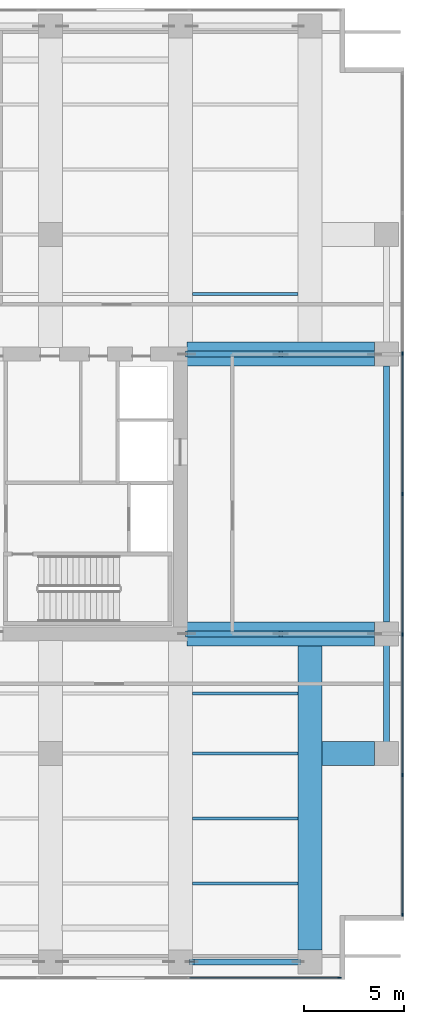
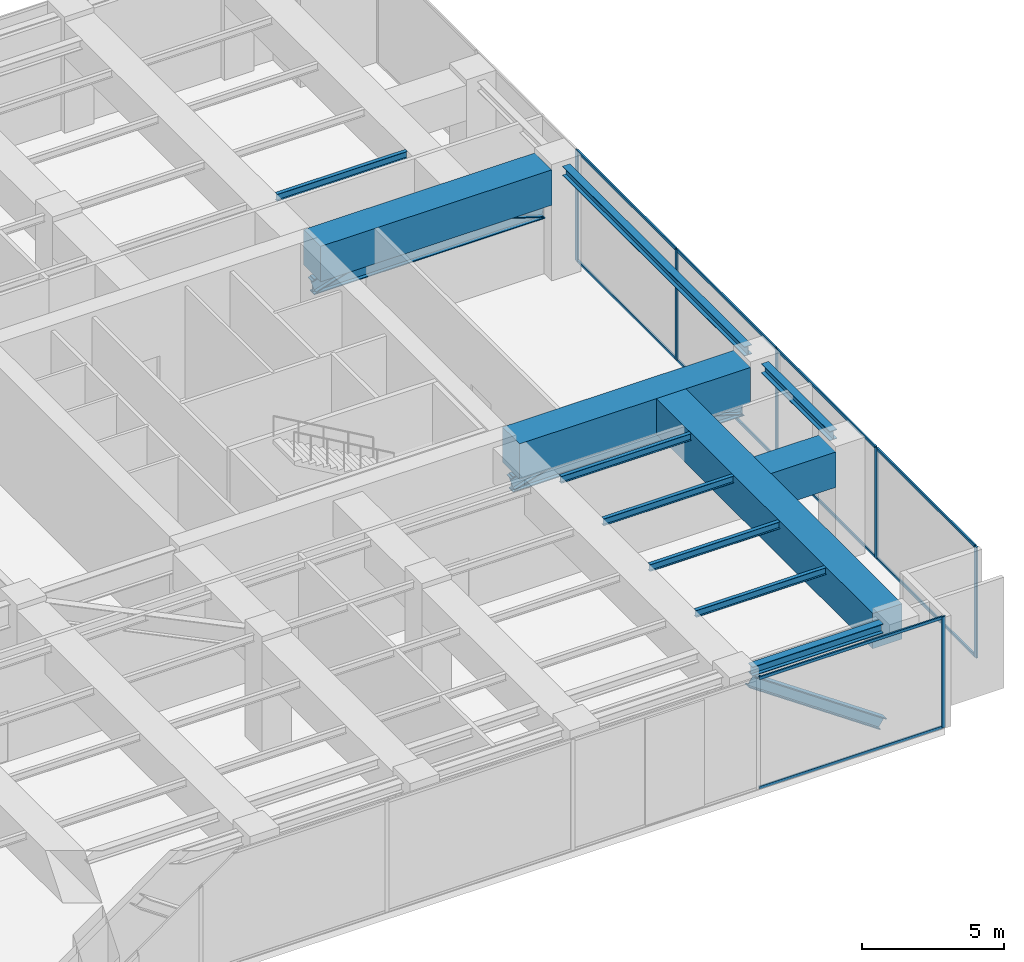
# One storey, part 11 of 28: 23 members, 12 beams, 2 elements without a shape of their own.
"""IFC4 building model written with IfcOpenShell, lengths in metres."""

from ifc_helpers import new_model, si_unit, direction, frame, origin, origin_2d, place, context, subcontext, project, spatial, rectangle, i_section, extrude, material, layer, layer_set, material_profile, profile_set, type_object, element, aggregate, save


model = new_model("IFC4")

# Units and contexts
model_context = context("Model", 3, precision=1e-05, world=origin(), true_north=direction((0.0, 1.0)))
body_context = subcontext(model_context, "Body", "Model", "MODEL_VIEW")
ifc_project = project(units=[si_unit("LENGTHUNIT", "METRE"), si_unit("AREAUNIT", "SQUARE_METRE"), si_unit("VOLUMEUNIT", "CUBIC_METRE"), si_unit("PLANEANGLEUNIT", "RADIAN"), si_unit("MASSUNIT", "GRAM", prefix="KILO")], contexts=[model_context])

# Site, building, storey
site_placement = place(None, origin())
site = spatial("IfcSite", under=ifc_project, at=site_placement, CompositionType="ELEMENT")
building_placement = place(site_placement, origin())
building = spatial("IfcBuilding", under=site, at=building_placement, Name="Putna Gate Headquarters", CompositionType="ELEMENT")
storey_placement = place(building_placement, frame((0.0, 0.0, 139.199951171875)))
storey = spatial("IfcBuildingStorey", under=building, at=storey_placement, Name="L34", CompositionType="ELEMENT", Elevation=139.199951171875)

# Beams
ifc_material_1 = material(Name="Steel S355J2", Category="steel")
ifc_material_profile_1 = material_profile(ifc_material_1, i_section(OverallWidth=0.14990234375, OverallDepth=0.300048828125, WebThickness=0.007080078125, FlangeThickness=0.0107421875, at=origin_2d()), Name="Steel S355J2")
ifc_profile_set_1 = profile_set([ifc_material_profile_1], Name="Steel S355J2")
beam_type_1 = type_object("IfcBeamType", Name="BM-SEC-Z3-IPE300", PredefinedType="JOIST", material=ifc_profile_set_1)
for number, where, z_axis, x_axis, name in (
    (1, (65.60400390625, 6.5, 4.6220703125), (1.0, 0.0, 0.0), (0.0, 1.0, 0.0), "L34 South Secondary Beam 10"),
    (2, (65.60400390625, 9.75, 4.6220703125), (1.0, 0.0, 0.0), (0.0, 1.0, 0.0), "L34 South Secondary Beam 10"),
    (3, (65.60400390625, 13.0, 4.6220703125), (1.0, 0.0, 0.0), (0.0, 1.0, 0.0), "L34 South Secondary Beam 10"),
    (4, (65.60400390625, 16.0, 4.6220703125), (1.0, 0.0, 0.0), (0.0, 1.0, 0.0), "L34 South Secondary Beam 10"),
    (5, (65.60400390625, 36.0, 4.6220703125), (1.0, 0.0, 0.0), (0.0, 1.0, 0.0), "L34 North Secondary Beam 10"),
):
    element("IfcBeam", number, at=place(storey_placement, frame(where, z_axis=z_axis, x_axis=x_axis)), inside=storey, type_object=beam_type_1, Name=name, PredefinedType="JOIST", context=body_context, shape_type="SweptSolid", body=[
        extrude(i_section(OverallWidth=0.14990234375, OverallDepth=0.300048828125, WebThickness=0.007080078125, FlangeThickness=0.0107421875, at=origin_2d()), origin(), (0.0, 0.0, 1.0), 5.2919921875),
    ])
ifc_material_profile_2 = material_profile(ifc_material_1, i_section(OverallWidth=0.300048828125, OverallDepth=0.39990234375, WebThickness=0.013427734375, FlangeThickness=0.02392578125, at=origin_2d()), Name="Steel S355J2")
ifc_profile_set_2 = profile_set([ifc_material_profile_2], Name="Steel S355J2")
beam_type_2 = type_object("IfcBeamType", Name="BM-SPAN-Z3-HEB400", PredefinedType="SPANDREL", material=ifc_profile_set_2)
beam_1_placement = place(storey_placement, frame((65.587890625, 2.580078125, 4.572021484375), z_axis=(1.0, 0.0, 0.0), x_axis=(0.0, 1.0, 0.0)))
element("IfcBeam", 6, at=beam_1_placement, inside=storey, type_object=beam_type_2, Name="L34 S Perimeter Spandrel 10", PredefinedType="SPANDREL", context=body_context, shape_type="SweptSolid", body=[
    extrude(i_section(OverallWidth=0.300048828125, OverallDepth=0.39990234375, WebThickness=0.013427734375, FlangeThickness=0.02392578125, at=origin_2d()), origin(), (0.0, 0.0, 1.0), 5.32421875),
])
beam_2_placement = place(storey_placement, frame((75.320068359375, 13.587890625, 4.572021484375), z_axis=(0.0, 1.0, 0.0), x_axis=(-1.0, 0.0, 0.0)))
element("IfcBeam", 7, at=beam_2_placement, inside=storey, type_object=beam_type_2, Name="L34 E End Spandrel 1", PredefinedType="SPANDREL", context=body_context, shape_type="SweptSolid", body=[
    extrude(i_section(OverallWidth=0.300048828125, OverallDepth=0.39990234375, WebThickness=0.013427734375, FlangeThickness=0.02392578125, at=origin_2d()), origin(), (0.0, 0.0, 1.0), 4.82421875),
])
beam_3_placement = place(storey_placement, frame((75.320068359375, 19.587890625, 4.572021484375), z_axis=(0.0, 1.0, 0.0), x_axis=(-1.0, 0.0, 0.0)))
element("IfcBeam", 8, at=beam_3_placement, inside=storey, type_object=beam_type_2, Name="L34 E End Spandrel 2", PredefinedType="SPANDREL", context=body_context, shape_type="SweptSolid", body=[
    extrude(i_section(OverallWidth=0.300048828125, OverallDepth=0.39990234375, WebThickness=0.013427734375, FlangeThickness=0.02392578125, at=origin_2d()), origin(), (0.0, 0.0, 1.0), 12.82421875),
])
ifc_material_2 = material(Name="Concrete C50/60", Category="concrete")
ifc_material_profile_3 = material_profile(ifc_material_2, rectangle(XDim=1.199951171875, YDim=1.52001953125, at=origin_2d()), Name="Concrete C50/60")
ifc_profile_set_3 = profile_set([ifc_material_profile_3], Name="Concrete C50/60")
beam_type_3 = type_object("IfcBeamType", Name="BM-TG-RC1520", PredefinedType="USERDEFINED", material=ifc_profile_set_3)
beam_4_placement = place(storey_placement, frame((72.0849609375, 13.0, 4.011962890625), z_axis=(1.0, 0.0, 0.0), x_axis=(0.0, 1.0, 0.0)))
element("IfcBeam", 9, at=beam_4_placement, inside=storey, type_object=beam_type_3, Name="L34 East Wing Girder Y13", ObjectType="GIRDER", PredefinedType="USERDEFINED", context=body_context, shape_type="SweptSolid", body=[
    extrude(rectangle(XDim=1.199951171875, YDim=1.52001953125, at=origin_2d()), origin(), (0.0, 0.0, 1.0), 2.64697265625),
])
for number, where, z_axis, x_axis, name in (
    (10, (65.3349609375, 19.0, 4.011962890625), (1.0, 0.0, 0.0), (0.0, 1.0, 0.0), "L34 East Wing Girder Y19"),
    (11, (65.3349609375, 33.0, 4.011962890625), (1.0, 0.0, 0.0), (0.0, 1.0, 0.0), "L34 East Wing Girder Y33"),
):
    element("IfcBeam", number, at=place(storey_placement, frame(where, z_axis=z_axis, x_axis=x_axis)), inside=storey, type_object=beam_type_3, Name=name, ObjectType="GIRDER", PredefinedType="USERDEFINED", context=body_context, shape_type="SweptSolid", body=[
        extrude(rectangle(XDim=1.199951171875, YDim=1.52001953125, at=origin_2d()), origin(), (0.0, 0.0, 1.0), 9.39697265625),
    ])
beam_5_placement = place(storey_placement, frame((71.5, 3.16796875, 4.011962890625), z_axis=(0.0, 1.0, 0.0), x_axis=(-1.0, 0.0, 0.0)))
element("IfcBeam", 12, at=beam_5_placement, inside=storey, type_object=beam_type_3, Name="L34 South Primary Girder X71", ObjectType="GIRDER", PredefinedType="USERDEFINED", context=body_context, shape_type="SweptSolid", body=[
    extrude(rectangle(XDim=1.199951171875, YDim=1.52001953125, at=origin_2d()), origin(), (0.0, 0.0, 1.0), 15.2470703125),
])

# Members
ifc_material_3 = material(Name="Steel S460M", Category="steel")
ifc_material_profile_4 = material_profile(ifc_material_3, i_section(OverallWidth=0.306884765625, OverallDepth=0.47802734375, WebThickness=0.02099609375, FlangeThickness=0.0400390625, at=origin_2d()), Name="Steel S460M")
ifc_profile_set_4 = profile_set([ifc_material_profile_4], Name="Steel S460M")
member_type_1 = type_object("IfcMemberType", Name="MEM-BELT-DIAG-HEM450", PredefinedType="BRACE", material=ifc_profile_set_4)
member_1_placement = place(storey_placement, frame((65.5849609375, 2.580078125, 4.1220703125), z_axis=(0.823486846025, 0.0, -0.567335363277), x_axis=(0.0, 1.0, 0.0)))
element("IfcMember", 13, at=member_1_placement, inside=storey, type_object=member_type_1, Name="L34 Belt Truss Diagonal S10", PredefinedType="BRACE", context=body_context, shape_type="SweptSolid", body=[
    extrude(i_section(OverallWidth=0.306884765625, OverallDepth=0.47802734375, WebThickness=0.02099609375, FlangeThickness=0.0400390625, at=origin_2d()), origin(), (0.0, 0.0, 1.0), 6.47265625),
])
ifc_material_profile_5 = material_profile(ifc_material_3, i_section(OverallWidth=0.304931640625, OverallDepth=0.66796875, WebThickness=0.02099609375, FlangeThickness=0.0400390625, at=origin_2d()), Name="Steel S460M")
ifc_profile_set_5 = profile_set([ifc_material_profile_5], Name="Steel S460M")
member_type_2 = type_object("IfcMemberType", Name="MEM-OUTRIGGER-CHORD-HEM650", PredefinedType="CHORD", material=ifc_profile_set_5)
for number, where, z_axis, x_axis, name in (
    (14, (65.3349609375, 19.0, 2.75), (1.0, 0.0, 0.0), (0.0, 1.0, 0.0), "L34 Outrigger Bottom Chord ES"),
    (15, (65.3349609375, 33.0, 2.75), (1.0, 0.0, 0.0), (0.0, 1.0, 0.0), "L34 Outrigger Bottom Chord EN"),
):
    element("IfcMember", number, at=place(storey_placement, frame(where, z_axis=z_axis, x_axis=x_axis)), inside=storey, type_object=member_type_2, Name=name, PredefinedType="CHORD", context=body_context, shape_type="SweptSolid", body=[
        extrude(i_section(OverallWidth=0.304931640625, OverallDepth=0.66796875, WebThickness=0.02099609375, FlangeThickness=0.0400390625, at=origin_2d()), origin(), (0.0, 0.0, 1.0), 9.400146484375),
    ])
ifc_material_profile_6 = material_profile(ifc_material_3, i_section(OverallWidth=0.305908203125, OverallDepth=0.572021484375, WebThickness=0.02099609375, FlangeThickness=0.0400390625, at=origin_2d()), Name="Steel S460M")
ifc_profile_set_6 = profile_set([ifc_material_profile_6], Name="Steel S460M")
member_type_3 = type_object("IfcMemberType", Name="MEM-OUTRIGGER-DIAG-HEM550", PredefinedType="BRACE", material=ifc_profile_set_6)
member_2_placement = place(storey_placement, frame((65.3349609375, 19.0, 2.75), z_axis=(0.954281308436, 0.0, 0.29890999376), x_axis=(0.0, 1.0, 0.0)))
element("IfcMember", 16, at=member_2_placement, inside=storey, type_object=member_type_3, Name="L34 Outrigger Truss Brace ES-1", PredefinedType="BRACE", context=body_context, shape_type="SweptSolid", body=[
    extrude(i_section(OverallWidth=0.305908203125, OverallDepth=0.572021484375, WebThickness=0.02099609375, FlangeThickness=0.0400390625, at=origin_2d()), origin(), (0.0, 0.0, 1.0), 4.925048828125),
])
member_3_placement = place(storey_placement, frame((70.034912109375, 19.0, 4.22216796875), z_axis=(0.954285737105, 0.0, -0.298895854703), x_axis=(0.0, 1.0, 0.0)))
element("IfcMember", 17, at=member_3_placement, inside=storey, type_object=member_type_3, Name="L34 Outrigger Truss Brace ES-2", PredefinedType="BRACE", context=body_context, shape_type="SweptSolid", body=[
    extrude(i_section(OverallWidth=0.305908203125, OverallDepth=0.572021484375, WebThickness=0.02099609375, FlangeThickness=0.0400390625, at=origin_2d()), origin(), (0.0, 0.0, 1.0), 4.92529296875),
])
member_4_placement = place(storey_placement, frame((65.3349609375, 33.0, 2.75), z_axis=(0.954281308436, 0.0, 0.29890999376), x_axis=(0.0, 1.0, 0.0)))
element("IfcMember", 18, at=member_4_placement, inside=storey, type_object=member_type_3, Name="L34 Outrigger Truss Brace EN-1", PredefinedType="BRACE", context=body_context, shape_type="SweptSolid", body=[
    extrude(i_section(OverallWidth=0.305908203125, OverallDepth=0.572021484375, WebThickness=0.02099609375, FlangeThickness=0.0400390625, at=origin_2d()), origin(), (0.0, 0.0, 1.0), 4.925048828125),
])
member_5_placement = place(storey_placement, frame((70.034912109375, 33.0, 4.22216796875), z_axis=(0.954285737105, 0.0, -0.298895854703), x_axis=(0.0, 1.0, 0.0)))
element("IfcMember", 19, at=member_5_placement, inside=storey, type_object=member_type_3, Name="L34 Outrigger Truss Brace EN-2", PredefinedType="BRACE", context=body_context, shape_type="SweptSolid", body=[
    extrude(i_section(OverallWidth=0.305908203125, OverallDepth=0.572021484375, WebThickness=0.02099609375, FlangeThickness=0.0400390625, at=origin_2d()), origin(), (0.0, 0.0, 1.0), 4.92529296875),
])

# Curtain wall, member
ifc_material_4 = material(Name="Anodised bronze aluminium curtain wall", Category="aluminium")
ifc_layer = layer(ifc_material_4, 0.159912109375)
ifc_layer_set = layer_set([ifc_layer], Name="Anodised bronze aluminium curtain wall")
curtain_wall_type = type_object("IfcCurtainWallType", Name="CW-SYS-CRN", PredefinedType="USERDEFINED", material=ifc_layer_set)
curtain_wall_1_placement = place(storey_placement, origin())
curtain_wall_1 = element("IfcCurtainWall", 20, at=curtain_wall_1_placement, inside=storey, type_object=curtain_wall_type, Name="L34 Acoustic Louvre South Enclosure", ObjectType="STICK CURTAIN WALL", PredefinedType="USERDEFINED")
ifc_material_5 = material(Name="Anodised bronze aluminium EN AW-6060", Category="aluminium")
ifc_material_profile_7 = material_profile(ifc_material_5, rectangle(XDim=0.06494140625, YDim=0.159912109375, at=origin_2d()), Name="Anodised bronze aluminium EN AW-6060")
ifc_profile_set_7 = profile_set([ifc_material_profile_7], Name="Anodised bronze aluminium EN AW-6060")
member_type_4 = type_object("IfcMemberType", Name="MULL-CWM-CR", PredefinedType="MULLION", material=ifc_profile_set_7)
member_6_placement = place(storey_placement, frame((72.967529296875, 1.780029296875, 0.0), z_axis=(0.0, 0.0, 1.0), x_axis=(0.0, 1.0, 0.0)))
member_6 = element("IfcMember", 21, at=member_6_placement, type_object=member_type_4, Name="CWS-CR mullion 10", PredefinedType="MULLION", context=body_context, shape_type="SweptSolid", body=[
    extrude(rectangle(XDim=0.06494140625, YDim=0.159912109375, at=origin_2d()), origin(), (0.0, 0.0, 1.0), 4.77197265625),
])

# Curtain wall, members
curtain_wall_2_placement = place(storey_placement, origin())
curtain_wall_2 = element("IfcCurtainWall", 22, at=curtain_wall_2_placement, inside=storey, type_object=curtain_wall_type, Name="L34 Acoustic Louvre East Enclosure", ObjectType="STICK CURTAIN WALL", PredefinedType="USERDEFINED")
member_7_placement = place(storey_placement, frame((76.1201171875, 4.9326171875, 0.0), z_axis=(0.0, 0.0, 1.0), x_axis=(-1.0, 0.0, 0.0)))
member_7 = element("IfcMember", 23, at=member_7_placement, type_object=member_type_4, Name="CWS-CR mullion 1", PredefinedType="MULLION", context=body_context, shape_type="SweptSolid", body=[
    extrude(rectangle(XDim=0.06494140625, YDim=0.159912109375, at=origin_2d()), origin(), (0.0, 0.0, 1.0), 4.77197265625),
])
member_8_placement = place(storey_placement, frame((76.1201171875, 11.933349609375, 0.0), z_axis=(0.0, 0.0, 1.0), x_axis=(-1.0, 0.0, 0.0)))
member_8 = element("IfcMember", 24, at=member_8_placement, type_object=member_type_4, Name="CWS-CR mullion 2", PredefinedType="MULLION", context=body_context, shape_type="SweptSolid", body=[
    extrude(rectangle(XDim=0.06494140625, YDim=0.159912109375, at=origin_2d()), origin(), (0.0, 0.0, 1.0), 4.77197265625),
])
member_9_placement = place(storey_placement, frame((76.1201171875, 18.966552734375, 0.0), z_axis=(0.0, 0.0, 1.0), x_axis=(-1.0, 0.0, 0.0)))
member_9 = element("IfcMember", 25, at=member_9_placement, type_object=member_type_4, Name="CWS-CR mullion 3", PredefinedType="MULLION", context=body_context, shape_type="SweptSolid", body=[
    extrude(rectangle(XDim=0.06494140625, YDim=0.159912109375, at=origin_2d()), origin(), (0.0, 0.0, 1.0), 4.77197265625),
])
member_10_placement = place(storey_placement, frame((76.1201171875, 26.0, 0.0), z_axis=(0.0, 0.0, 1.0), x_axis=(-1.0, 0.0, 0.0)))
member_10 = element("IfcMember", 26, at=member_10_placement, type_object=member_type_4, Name="CWS-CR mullion 4", PredefinedType="MULLION", context=body_context, shape_type="SweptSolid", body=[
    extrude(rectangle(XDim=0.06494140625, YDim=0.159912109375, at=origin_2d()), origin(), (0.0, 0.0, 1.0), 4.77197265625),
])
member_11_placement = place(storey_placement, frame((76.1201171875, 33.033447265625, 0.0), z_axis=(0.0, 0.0, 1.0), x_axis=(-1.0, 0.0, 0.0)))
member_11 = element("IfcMember", 27, at=member_11_placement, type_object=member_type_4, Name="CWS-CR mullion 5", PredefinedType="MULLION", context=body_context, shape_type="SweptSolid", body=[
    extrude(rectangle(XDim=0.06494140625, YDim=0.159912109375, at=origin_2d()), origin(), (0.0, 0.0, 1.0), 4.77197265625),
])

# Member
ifc_material_profile_8 = material_profile(ifc_material_5, rectangle(XDim=0.06494140625, YDim=0.1201171875, at=origin_2d()), Name="Anodised bronze aluminium EN AW-6060")
ifc_profile_set_8 = profile_set([ifc_material_profile_8], Name="Anodised bronze aluminium EN AW-6060")
member_type_5 = type_object("IfcMemberType", Name="TRAN-CWT-CR", PredefinedType="USERDEFINED", material=ifc_profile_set_8)
member_12_placement = place(storey_placement, frame((65.47705078125, 1.780029296875, 0.032470703125), z_axis=(1.0, 0.0, 0.0), x_axis=(0.0, 1.0, 0.0)))
member_12 = element("IfcMember", 28, at=member_12_placement, type_object=member_type_5, Name="CWS-CR transom 9.1", ObjectType="TRANSOM", PredefinedType="USERDEFINED", context=body_context, shape_type="SweptSolid", body=[
    extrude(rectangle(XDim=0.06494140625, YDim=0.1201171875, at=origin_2d()), origin(), (0.0, 0.0, 1.0), 7.4580078125),
])

member_13_placement = place(storey_placement, frame((65.47705078125, 1.780029296875, 4.739501953125), z_axis=(1.0, 0.0, 0.0), x_axis=(0.0, 1.0, 0.0)))
member_13 = element("IfcMember", 29, at=member_13_placement, type_object=member_type_5, Name="CWS-CR transom 9.2", ObjectType="TRANSOM", PredefinedType="USERDEFINED", context=body_context, shape_type="SweptSolid", body=[
    extrude(rectangle(XDim=0.06494140625, YDim=0.1201171875, at=origin_2d()), origin(), (0.0, 0.0, 1.0), 7.4580078125),
])

aggregate(curtain_wall_1, [member_6, member_12, member_13])

member_14_placement = place(storey_placement, frame((76.1201171875, 4.965087890625, 0.032470703125), z_axis=(0.0, 1.0, 0.0), x_axis=(-1.0, 0.0, 0.0)))
member_14 = element("IfcMember", 30, at=member_14_placement, type_object=member_type_5, Name="CWS-CR transom 1.1", ObjectType="TRANSOM", PredefinedType="USERDEFINED", context=body_context, shape_type="SweptSolid", body=[
    extrude(rectangle(XDim=0.06494140625, YDim=0.1201171875, at=origin_2d()), origin(), (0.0, 0.0, 1.0), 6.935791015625),
])

member_15_placement = place(storey_placement, frame((76.1201171875, 4.965087890625, 4.739501953125), z_axis=(0.0, 1.0, 0.0), x_axis=(-1.0, 0.0, 0.0)))
member_15 = element("IfcMember", 31, at=member_15_placement, type_object=member_type_5, Name="CWS-CR transom 1.2", ObjectType="TRANSOM", PredefinedType="USERDEFINED", context=body_context, shape_type="SweptSolid", body=[
    extrude(rectangle(XDim=0.06494140625, YDim=0.1201171875, at=origin_2d()), origin(), (0.0, 0.0, 1.0), 6.935791015625),
])

member_16_placement = place(storey_placement, frame((76.1201171875, 11.9658203125, 0.032470703125), z_axis=(0.0, 1.0, 0.0), x_axis=(-1.0, 0.0, 0.0)))
member_16 = element("IfcMember", 32, at=member_16_placement, type_object=member_type_5, Name="CWS-CR transom 2.1", ObjectType="TRANSOM", PredefinedType="USERDEFINED", context=body_context, shape_type="SweptSolid", body=[
    extrude(rectangle(XDim=0.06494140625, YDim=0.1201171875, at=origin_2d()), origin(), (0.0, 0.0, 1.0), 6.96826171875),
])

member_17_placement = place(storey_placement, frame((76.1201171875, 11.9658203125, 4.739501953125), z_axis=(0.0, 1.0, 0.0), x_axis=(-1.0, 0.0, 0.0)))
member_17 = element("IfcMember", 33, at=member_17_placement, type_object=member_type_5, Name="CWS-CR transom 2.2", ObjectType="TRANSOM", PredefinedType="USERDEFINED", context=body_context, shape_type="SweptSolid", body=[
    extrude(rectangle(XDim=0.06494140625, YDim=0.1201171875, at=origin_2d()), origin(), (0.0, 0.0, 1.0), 6.96826171875),
])

member_18_placement = place(storey_placement, frame((76.1201171875, 18.999267578125, 0.032470703125), z_axis=(0.0, 1.0, 0.0), x_axis=(-1.0, 0.0, 0.0)))
member_18 = element("IfcMember", 34, at=member_18_placement, type_object=member_type_5, Name="CWS-CR transom 3.1", ObjectType="TRANSOM", PredefinedType="USERDEFINED", context=body_context, shape_type="SweptSolid", body=[
    extrude(rectangle(XDim=0.06494140625, YDim=0.1201171875, at=origin_2d()), origin(), (0.0, 0.0, 1.0), 6.96826171875),
])

member_19_placement = place(storey_placement, frame((76.1201171875, 18.999267578125, 4.739501953125), z_axis=(0.0, 1.0, 0.0), x_axis=(-1.0, 0.0, 0.0)))
member_19 = element("IfcMember", 35, at=member_19_placement, type_object=member_type_5, Name="CWS-CR transom 3.2", ObjectType="TRANSOM", PredefinedType="USERDEFINED", context=body_context, shape_type="SweptSolid", body=[
    extrude(rectangle(XDim=0.06494140625, YDim=0.1201171875, at=origin_2d()), origin(), (0.0, 0.0, 1.0), 6.96826171875),
])

member_20_placement = place(storey_placement, frame((76.1201171875, 26.032470703125, 0.032470703125), z_axis=(0.0, 1.0, 0.0), x_axis=(-1.0, 0.0, 0.0)))
member_20 = element("IfcMember", 36, at=member_20_placement, type_object=member_type_5, Name="CWS-CR transom 4.1", ObjectType="TRANSOM", PredefinedType="USERDEFINED", context=body_context, shape_type="SweptSolid", body=[
    extrude(rectangle(XDim=0.06494140625, YDim=0.1201171875, at=origin_2d()), origin(), (0.0, 0.0, 1.0), 6.96826171875),
])

member_21_placement = place(storey_placement, frame((76.1201171875, 26.032470703125, 4.739501953125), z_axis=(0.0, 1.0, 0.0), x_axis=(-1.0, 0.0, 0.0)))
member_21 = element("IfcMember", 37, at=member_21_placement, type_object=member_type_5, Name="CWS-CR transom 4.2", ObjectType="TRANSOM", PredefinedType="USERDEFINED", context=body_context, shape_type="SweptSolid", body=[
    extrude(rectangle(XDim=0.06494140625, YDim=0.1201171875, at=origin_2d()), origin(), (0.0, 0.0, 1.0), 6.96826171875),
])

aggregate(curtain_wall_2, [member_7, member_8, member_9, member_10, member_11, member_14, member_15, member_16, member_17, member_18, member_19, member_20, member_21])

save(model, "model.ifc")
